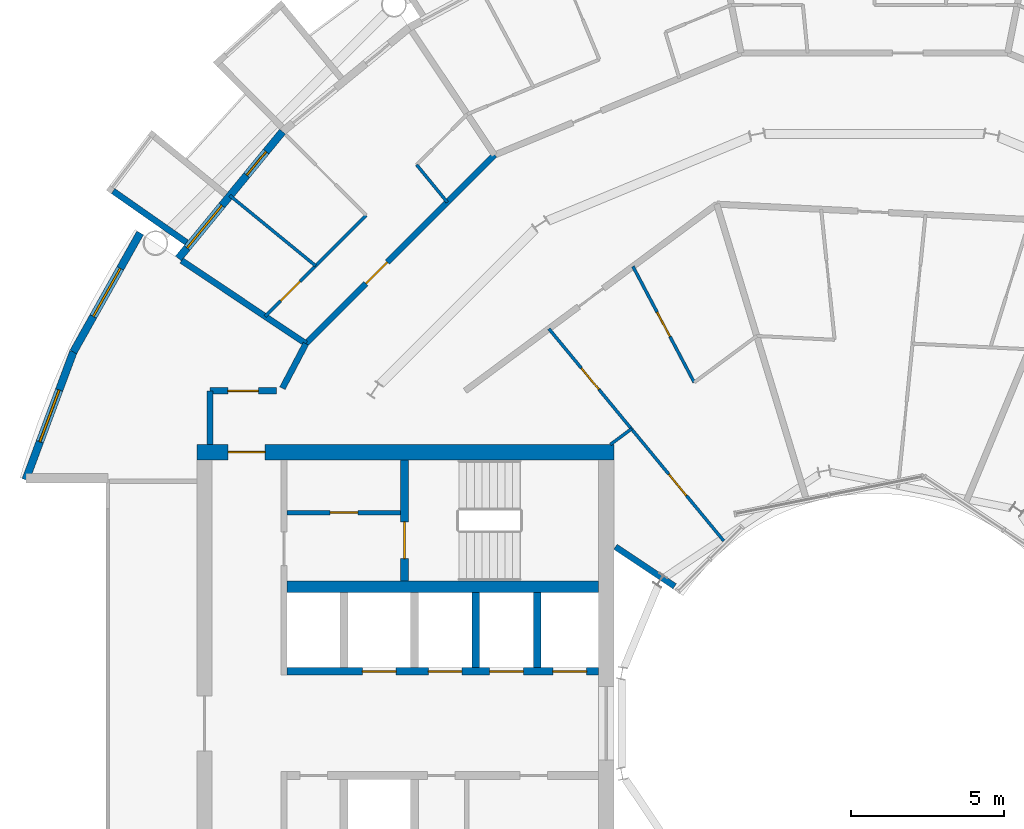
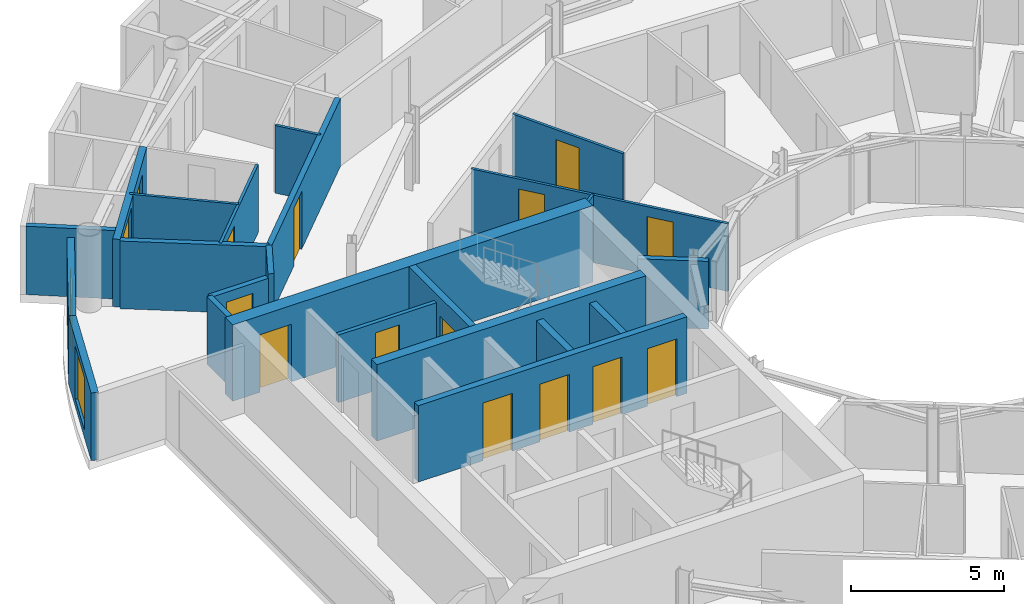
# One storey, part 19 of 27: 23 walls, 14 doors, 3 windows, 17 openings.
"""IFC4 building model written with IfcOpenShell, lengths in metres."""

from ifc_helpers import new_model, si_unit, direction, frame, frame_2d, origin, place, context, subcontext, project, spatial, rectangle, extrude, material, layer, layer_set, type_object, element, fill, save


model = new_model("IFC4")

# Units and contexts
model_context = context("Model", 3, precision=1e-05, world=origin(), true_north=direction((0.0, 1.0)))
body_context = subcontext(model_context, "Body", "Model", "MODEL_VIEW")
ifc_project = project(units=[si_unit("LENGTHUNIT", "METRE"), si_unit("AREAUNIT", "SQUARE_METRE"), si_unit("VOLUMEUNIT", "CUBIC_METRE"), si_unit("PLANEANGLEUNIT", "RADIAN"), si_unit("MASSUNIT", "GRAM", prefix="KILO")], contexts=[model_context])

# Site, building, storey
site_placement = place(None, origin())
site = spatial("IfcSite", under=ifc_project, at=site_placement, CompositionType="ELEMENT")
building_placement = place(site_placement, origin())
building = spatial("IfcBuilding", under=site, at=building_placement, Name="Maasbend Ring Residences", CompositionType="ELEMENT")
storey_placement = place(building_placement, frame((0.0, 0.0, 170.75)))
storey = spatial("IfcBuildingStorey", under=building, at=storey_placement, Name="L49", CompositionType="ELEMENT", Elevation=170.75)

# Wall, openings, doors
ifc_material_1 = material(Name="Concrete C60/75", Category="concrete")
ifc_layer_1 = layer(ifc_material_1, 0.25)
ifc_layer_set_1 = layer_set([ifc_layer_1], Name="Concrete C60/75")
wall_type_1 = type_object("IfcWallType", Name="CORE WALL 250 C60/75", PredefinedType="SHEAR", material=ifc_layer_set_1)
wall_1_placement = place(storey_placement, frame((-9.0, 1.699951171875, 0.0), z_axis=(0.0, 0.0, 1.0), x_axis=(-1.0, 0.0, 0.0)))
wall_1 = element("IfcWall", 1, at=wall_1_placement, inside=storey, type_object=wall_type_1, Name="L49 core W wall SPS", PredefinedType="SHEAR", context=body_context, shape_type="SweptSolid", body=[
    extrude(rectangle(XDim=10.14990234375, YDim=0.25, at=frame_2d((5.074951171875, 0.0))), origin(), (0.0, 0.0, 1.0), 3.050048828125),
])
opening_1_placement = place(wall_1_placement, frame((0.387451171875, 0.0, 0.0)))
opening_1 = element("IfcOpeningElement", 2, at=opening_1_placement, cuts=wall_1, Name="Opening LD-W4902", PredefinedType="OPENING", context=body_context, shape_type="SweptSolid", body=[
    extrude(rectangle(XDim=1.10009765625, YDim=2.300048828125, at=frame_2d((0.550048828125, 1.14990234375))), frame((0.0, 0.135009765625, 0.0), z_axis=(0.0, -1.0, 0.0), x_axis=(1.0, 0.0, 0.0)), (0.0, 0.0, 1.0), 0.27001953125),
])
opening_2_placement = place(wall_1_placement, frame((2.449951171875, 0.0, 0.0)))
opening_2 = element("IfcOpeningElement", 3, at=opening_2_placement, cuts=wall_1, Name="Opening LD-W4903", PredefinedType="OPENING", context=body_context, shape_type="SweptSolid", body=[
    extrude(rectangle(XDim=1.10009765625, YDim=2.300048828125, at=frame_2d((0.550048828125, 1.14990234375))), frame((0.0, 0.135009765625, 0.0), z_axis=(0.0, -1.0, 0.0), x_axis=(1.0, 0.0, 0.0)), (0.0, 0.0, 1.0), 0.27001953125),
])
opening_3_placement = place(wall_1_placement, frame((4.449951171875, 0.0, 0.0)))
opening_3 = element("IfcOpeningElement", 4, at=opening_3_placement, cuts=wall_1, Name="Opening LD-W4904", PredefinedType="OPENING", context=body_context, shape_type="SweptSolid", body=[
    extrude(rectangle(XDim=1.10009765625, YDim=2.300048828125, at=frame_2d((0.550048828125, 1.14990234375))), frame((0.0, 0.135009765625, 0.0), z_axis=(0.0, -1.0, 0.0), x_axis=(1.0, 0.0, 0.0)), (0.0, 0.0, 1.0), 0.27001953125),
])
opening_4_placement = place(wall_1_placement, frame((6.60009765625, 0.0, 0.0)))
opening_4 = element("IfcOpeningElement", 5, at=opening_4_placement, cuts=wall_1, Name="Opening LD-W4905", PredefinedType="OPENING", context=body_context, shape_type="SweptSolid", body=[
    extrude(rectangle(XDim=1.10009765625, YDim=2.300048828125, at=frame_2d((0.550048828125, 1.14990234375))), frame((0.0, 0.135009765625, 0.0), z_axis=(0.0, -1.0, 0.0), x_axis=(1.0, 0.0, 0.0)), (0.0, 0.0, 1.0), 0.27001953125),
])
ifc_material_2 = material(Name="Stainless steel 316", Category="steel")
door_type_1 = type_object("IfcDoorType", Name="LANDING DOOR 1100 X 2300 FD60", OperationType="DOUBLE_DOOR_SLIDING", PredefinedType="DOOR", material=ifc_material_2)
door_1_placement = place(opening_1_placement, origin())
door_1 = element("IfcDoor", 6, at=door_1_placement, inside=storey, type_object=door_type_1, Name="Landing door HR-W1 L49", OperationType="DOUBLE_DOOR_SLIDING", OverallHeight=2.300048828125, OverallWidth=1.10009765625, PredefinedType="DOOR", context=body_context, shape_type="SweptSolid", body=[
    extrude(rectangle(XDim=1.10009765625, YDim=2.300048828125, at=frame_2d((0.550048828125, 1.14990234375))), frame((0.0, 0.02490234375, 0.0), z_axis=(0.0, -1.0, 0.0), x_axis=(1.0, 0.0, 0.0)), (0.0, 0.0, 1.0), 0.050048828125),
])
fill(opening_1, door_1)
door_2_placement = place(opening_2_placement, origin())
door_2 = element("IfcDoor", 7, at=door_2_placement, inside=storey, type_object=door_type_1, Name="Landing door HR-W2 L49", OperationType="DOUBLE_DOOR_SLIDING", OverallHeight=2.300048828125, OverallWidth=1.10009765625, PredefinedType="DOOR", context=body_context, shape_type="SweptSolid", body=[
    extrude(rectangle(XDim=1.10009765625, YDim=2.300048828125, at=frame_2d((0.550048828125, 1.14990234375))), frame((0.0, 0.02490234375, 0.0), z_axis=(0.0, -1.0, 0.0), x_axis=(1.0, 0.0, 0.0)), (0.0, 0.0, 1.0), 0.050048828125),
])
fill(opening_2, door_2)
door_3_placement = place(opening_3_placement, origin())
door_3 = element("IfcDoor", 8, at=door_3_placement, inside=storey, type_object=door_type_1, Name="Landing door HR-W3 L49", OperationType="DOUBLE_DOOR_SLIDING", OverallHeight=2.300048828125, OverallWidth=1.10009765625, PredefinedType="DOOR", context=body_context, shape_type="SweptSolid", body=[
    extrude(rectangle(XDim=1.10009765625, YDim=2.300048828125, at=frame_2d((0.550048828125, 1.14990234375))), frame((0.0, 0.02490234375, 0.0), z_axis=(0.0, -1.0, 0.0), x_axis=(1.0, 0.0, 0.0)), (0.0, 0.0, 1.0), 0.050048828125),
])
fill(opening_3, door_3)
door_4_placement = place(opening_4_placement, origin())
door_4 = element("IfcDoor", 9, at=door_4_placement, inside=storey, type_object=door_type_1, Name="Landing door SV-W L49", OperationType="DOUBLE_DOOR_SLIDING", OverallHeight=2.300048828125, OverallWidth=1.10009765625, PredefinedType="DOOR", context=body_context, shape_type="SweptSolid", body=[
    extrude(rectangle(XDim=1.10009765625, YDim=2.300048828125, at=frame_2d((0.550048828125, 1.14990234375))), frame((0.0, 0.02490234375, 0.0), z_axis=(0.0, -1.0, 0.0), x_axis=(1.0, 0.0, 0.0)), (0.0, 0.0, 1.0), 0.050048828125),
])
fill(opening_4, door_4)

# Wall, opening, door
wall_2_placement = place(storey_placement, frame((-15.324951171875, 8.60009765625, 0.0), z_axis=(0.0, 0.0, 1.0), x_axis=(0.0, -1.0, 0.0)))
wall_2 = element("IfcWall", 10, at=wall_2_placement, inside=storey, type_object=wall_type_1, Name="L49 core W wall STES", PredefinedType="SHEAR", context=body_context, shape_type="SweptSolid", body=[
    extrude(rectangle(XDim=3.9501953125, YDim=0.25, at=frame_2d((1.97509765625, 0.0))), origin(), (0.0, 0.0, 1.0), 3.050048828125),
])
opening_5_placement = place(wall_2_placement, frame((2.02490234375, 0.0, 0.0)))
opening_5 = element("IfcOpeningElement", 11, at=opening_5_placement, cuts=wall_2, Name="Opening D-W4911", PredefinedType="OPENING", context=body_context, shape_type="SweptSolid", body=[
    extrude(rectangle(XDim=1.199951171875, YDim=2.300048828125, at=frame_2d((0.60009765625, 1.14990234375))), frame((0.0, 0.135009765625, 0.0), z_axis=(0.0, -1.0, 0.0), x_axis=(1.0, 0.0, 0.0)), (0.0, 0.0, 1.0), 0.27001953125),
])
ifc_material_3 = material(Name="Steel, powder coated", Category="steel")
door_type_2 = type_object("IfcDoorType", Name="STAIR DOOR 1200 X 2300 FD60", OperationType="NOTDEFINED", PredefinedType="DOOR", material=ifc_material_3)
door_5_placement = place(opening_5_placement, origin())
door_5 = element("IfcDoor", 12, at=door_5_placement, inside=storey, type_object=door_type_2, Name="Stair door ST-W L49", OperationType="SINGLE_SWING_LEFT", OverallHeight=2.300048828125, OverallWidth=1.199951171875, PredefinedType="DOOR", context=body_context, shape_type="SweptSolid", body=[
    extrude(rectangle(XDim=1.199951171875, YDim=2.300048828125, at=frame_2d((0.60009765625, 1.14990234375))), frame((0.0, 0.02490234375, 0.0), z_axis=(0.0, -1.0, 0.0), x_axis=(1.0, 0.0, 0.0)), (0.0, 0.0, 1.0), 0.050048828125),
])
fill(opening_5, door_5)

# Wall
ifc_material_4 = material(Name="Concrete C60/75", Category="concrete")
ifc_layer_2 = layer(ifc_material_4, 0.375)
ifc_layer_set_2 = layer_set([ifc_layer_2], Name="Concrete C60/75")
wall_type_2 = type_object("IfcWallType", Name="CORE WALL 375 C60/75", PredefinedType="SHEAR", material=ifc_layer_set_2)
wall_3_placement = place(storey_placement, frame((-9.0, 4.46240234375, 0.0), z_axis=(0.0, 0.0, 1.0), x_axis=(-1.0, 0.0, 0.0)))
element("IfcWall", 13, at=wall_3_placement, inside=storey, type_object=wall_type_2, Name="L49 core W wall BS", PredefinedType="SHEAR", context=body_context, shape_type="SweptSolid", body=[
    extrude(rectangle(XDim=10.14990234375, YDim=0.375, at=frame_2d((5.074951171875, 0.0))), origin(), (0.0, 0.0, 1.0), 3.050048828125),
])

# Wall, opening, door
ifc_material_5 = material(Name="Concrete C60/75", Category="concrete")
ifc_layer_3 = layer(ifc_material_5, 0.5)
ifc_layer_set_3 = layer_set([ifc_layer_3], Name="Concrete C60/75")
wall_type_3 = type_object("IfcWallType", Name="CORE WALL 500 C60/75", PredefinedType="SHEAR", material=ifc_layer_set_3)
wall_4_placement = place(storey_placement, frame((-8.5, 8.85009765625, 0.0), z_axis=(0.0, 0.0, 1.0), x_axis=(-1.0, 0.0, 0.0)))
wall_4 = element("IfcWall", 14, at=wall_4_placement, inside=storey, type_object=wall_type_3, Name="L49 core W wall PS", PredefinedType="SHEAR", context=body_context, shape_type="SweptSolid", body=[
    extrude(rectangle(XDim=13.60009765625, YDim=0.5, at=frame_2d((6.800048828125, 0.0))), origin(), (0.0, 0.0, 1.0), 3.050048828125),
])
opening_6_placement = place(wall_4_placement, frame((11.375, 0.0, 0.0)))
opening_6 = element("IfcOpeningElement", 15, at=opening_6_placement, cuts=wall_4, Name="Opening D-W4915", PredefinedType="OPENING", context=body_context, shape_type="SweptSolid", body=[
    extrude(rectangle(XDim=1.199951171875, YDim=2.300048828125, at=frame_2d((0.60009765625, 1.14990234375))), frame((0.0, 0.260009765625, 0.0), z_axis=(0.0, -1.0, 0.0), x_axis=(1.0, 0.0, 0.0)), (0.0, 0.0, 1.0), 0.52001953125),
])
ifc_material_6 = material(Name="Steel, powder coated", Category="steel")
door_type_3 = type_object("IfcDoorType", Name="CORRIDOR DOOR 1200 X 2300 FD30S", OperationType="NOTDEFINED", PredefinedType="DOOR", material=ifc_material_6)
door_6_placement = place(opening_6_placement, origin())
door_6 = element("IfcDoor", 16, at=door_6_placement, inside=storey, type_object=door_type_3, Name="Corridor door L49", OperationType="SINGLE_SWING_LEFT", OverallHeight=2.300048828125, OverallWidth=1.199951171875, PredefinedType="DOOR", context=body_context, shape_type="SweptSolid", body=[
    extrude(rectangle(XDim=1.199951171875, YDim=2.300048828125, at=frame_2d((0.60009765625, 1.14990234375))), frame((0.0, 0.02490234375, 0.0), z_axis=(0.0, -1.0, 0.0), x_axis=(1.0, 0.0, 0.0)), (0.0, 0.0, 1.0), 0.050048828125),
])
fill(opening_6, door_6)

ifc_material_7 = material(Name="Concrete C30/37", Category="concrete")
ifc_layer_4 = layer(ifc_material_7, 0.199951171875)
ifc_layer_set_4 = layer_set([ifc_layer_4], Name="Concrete C30/37")
wall_type_4 = type_object("IfcWallType", Name="CORRIDOR WALL 200 CONCRETE", PredefinedType="PARTITIONING", material=ifc_layer_set_4)
wall_5_placement = place(storey_placement, frame((-21.675048828125, 10.85009765625, 0.0), z_axis=(0.0, 0.0, 1.0), x_axis=(1.0, 0.0, 0.0)))
wall_5 = element("IfcWall", 17, at=wall_5_placement, inside=storey, type_object=wall_type_4, Name="U-L49-w096", PredefinedType="PARTITIONING", context=body_context, shape_type="SweptSolid", body=[
    extrude(rectangle(XDim=2.171142578125, YDim=0.199951171875, at=frame_2d((1.08544921875, 0.0))), origin(), (0.0, 0.0, 1.0), 2.699951171875),
])
opening_7_placement = place(wall_5_placement, frame((0.5849609375, 0.0, 0.0)))
opening_7 = element("IfcOpeningElement", 18, at=opening_7_placement, cuts=wall_5, Name="Opening D-4966", PredefinedType="OPENING", context=body_context, shape_type="SweptSolid", body=[
    extrude(rectangle(XDim=1.0, YDim=2.300048828125, at=frame_2d((0.5, 1.14990234375))), frame((0.0, 0.10986328125, 0.0), z_axis=(0.0, -1.0, 0.0), x_axis=(1.0, 0.0, 0.0)), (0.0, 0.0, 1.0), 0.219970703125),
])
ifc_material_8 = material(Name="Timber, painted", Category="wood")
door_type_4 = type_object("IfcDoorType", Name="ROOM DOOR 1000 X 2300", OperationType="NOTDEFINED", PredefinedType="DOOR", material=ifc_material_8)
door_7_placement = place(opening_7_placement, origin())
door_7 = element("IfcDoor", 19, at=door_7_placement, inside=storey, type_object=door_type_4, Name="D-4966", OperationType="SINGLE_SWING_LEFT", OverallHeight=2.300048828125, OverallWidth=1.0, PredefinedType="DOOR", context=body_context, shape_type="SweptSolid", body=[
    extrude(rectangle(XDim=1.0, YDim=2.300048828125, at=frame_2d((0.5, 1.14990234375))), frame((0.0, 0.02490234375, 0.0), z_axis=(0.0, -1.0, 0.0), x_axis=(1.0, 0.0, 0.0)), (0.0, 0.0, 1.0), 0.050048828125),
])
fill(opening_7, door_7)

# Wall
wall_6_placement = place(storey_placement, frame((-21.675048828125, 9.10009765625, 0.0), z_axis=(0.0, 0.0, 1.0), x_axis=(0.0, 1.0, 0.0)))
element("IfcWall", 20, at=wall_6_placement, inside=storey, type_object=wall_type_4, Name="U-L49-w108", PredefinedType="PARTITIONING", context=body_context, shape_type="SweptSolid", body=[
    extrude(rectangle(XDim=1.75, YDim=0.199951171875, at=frame_2d((0.875, 0.0))), origin(), (0.0, 0.0, 1.0), 2.699951171875),
])

# Wall, opening, door
wall_7_placement = place(storey_placement, frame((-18.5419921875, 12.388916015625, 0.0), z_axis=(0.0, 0.0, 1.0), x_axis=(0.707106781187, 0.707106781187, 0.0)))
wall_7 = element("IfcWall", 21, at=wall_7_placement, inside=storey, type_object=wall_type_4, Name="U-L49-w109", PredefinedType="PARTITIONING", context=body_context, shape_type="SweptSolid", body=[
    extrude(rectangle(XDim=8.70166015625, YDim=0.199951171875, at=frame_2d((4.350830078125, 0.0))), origin(), (0.0, 0.0, 1.0), 2.699951171875),
])
opening_8_placement = place(wall_7_placement, frame((2.762939453125, 0.0, 0.0)))
opening_8 = element("IfcOpeningElement", 22, at=opening_8_placement, cuts=wall_7, Name="Opening D-4917", PredefinedType="OPENING", context=body_context, shape_type="SweptSolid", body=[
    extrude(rectangle(XDim=1.0, YDim=2.300048828125, at=frame_2d((0.5, 1.14990234375))), frame((0.0, 0.10986328125, 0.0), z_axis=(0.0, -1.0, 0.0), x_axis=(1.0, 0.0, 0.0)), (0.0, 0.0, 1.0), 0.219970703125),
])
ifc_material_9 = material(Name="Timber, fire-rated, painted", Category="wood")
door_type_5 = type_object("IfcDoorType", Name="FLAT ENTRANCE DOOR 1000 X 2300 FIRE-RATED", OperationType="NOTDEFINED", PredefinedType="DOOR", material=ifc_material_9)
door_8_placement = place(opening_8_placement, origin())
door_8 = element("IfcDoor", 23, at=door_8_placement, inside=storey, type_object=door_type_5, Name="D-4917", OperationType="SINGLE_SWING_LEFT", OverallHeight=2.300048828125, OverallWidth=1.0, PredefinedType="DOOR", context=body_context, shape_type="SweptSolid", body=[
    extrude(rectangle(XDim=1.0, YDim=2.300048828125, at=frame_2d((0.5, 1.14990234375))), frame((0.0, 0.02490234375, 0.0), z_axis=(0.0, -1.0, 0.0), x_axis=(1.0, 0.0, 0.0)), (0.0, 0.0, 1.0), 0.050048828125),
])
fill(opening_8, door_8)

# Walls
wall_8_placement = place(storey_placement, frame((-19.306884765625, 10.93505859375, 0.0), z_axis=(0.0, 0.0, 1.0), x_axis=(0.465605550524, 0.884992356646, 0.0)))
element("IfcWall", 24, at=wall_8_placement, inside=storey, type_object=wall_type_4, Name="U-L49-w114", PredefinedType="PARTITIONING", context=body_context, shape_type="SweptSolid", body=[
    extrude(rectangle(XDim=1.642822265625, YDim=0.199951171875, at=frame_2d((0.8212890625, 0.0))), origin(), (0.0, 0.0, 1.0), 2.699951171875),
])
ifc_material_10 = material(Name="Pale anodised aluminium panel", Category="aluminium")
ifc_layer_5 = layer(ifc_material_10, 0.199951171875)
ifc_layer_set_5 = layer_set([ifc_layer_5], Name="EW-BOX")
wall_type_5 = type_object("IfcWallType", Name="EW-BOX", PredefinedType="SOLIDWALL", material=ifc_layer_set_5)
wall_9_placement = place(storey_placement, frame((-22.43310546875, 15.68798828125, -0.030029296875), z_axis=(0.0, 0.0, 1.0), x_axis=(-0.819373043115, 0.573260687834, 0.0)))
element("IfcWall", 25, at=wall_9_placement, inside=storey, type_object=wall_type_5, Name="Box side wall N20 right", PredefinedType="SOLIDWALL", context=body_context, shape_type="SweptSolid", body=[
    extrude(rectangle(XDim=2.92529296875, YDim=0.199951171875, at=frame_2d((1.462646484375, 0.0))), origin(), (0.0, 0.0, 1.0), 2.72998046875),
])

# Wall, openings, door, window
ifc_material_11 = material(Name="Aluminium clad insulated panel", Category="aluminium")
ifc_layer_6 = layer(ifc_material_11, 0.25)
ifc_layer_set_6 = layer_set([ifc_layer_6], Name="EW-GL")
wall_type_6 = type_object("IfcWallType", Name="EW-GL", PredefinedType="SOLIDWALL", material=ifc_layer_set_6)
wall_10_placement = place(storey_placement, frame((-19.303955078125, 19.303955078125, 0.0), z_axis=(0.0, 0.0, 1.0), x_axis=(-0.634382322723, -0.773019449054, 0.0)))
wall_10 = element("IfcWall", 26, at=wall_10_placement, inside=storey, type_object=wall_type_6, Name="External wall N10", PredefinedType="SOLIDWALL", context=body_context, shape_type="SweptSolid", body=[
    extrude(rectangle(XDim=5.351806640625, YDim=0.25, at=frame_2d((2.67578125, 0.0))), origin(), (0.0, 0.0, 1.0), 2.699951171875),
])
opening_9_placement = place(wall_10_placement, frame((0.841064453125, 0.0, 0.0)))
opening_9 = element("IfcOpeningElement", 27, at=opening_9_placement, cuts=wall_10, Name="Opening D-LG", PredefinedType="OPENING", context=body_context, shape_type="SweptSolid", body=[
    extrude(rectangle(XDim=1.0, YDim=2.199951171875, at=frame_2d((0.5, 1.10009765625))), frame((0.0, 0.135009765625, 0.0), z_axis=(0.0, -1.0, 0.0), x_axis=(1.0, 0.0, 0.0)), (0.0, 0.0, 1.0), 0.27001953125),
])
opening_10_placement = place(wall_10_placement, frame((3.110595703125, 0.0, 0.300048828125)))
opening_10 = element("IfcOpeningElement", 28, at=opening_10_placement, cuts=wall_10, Name="Opening W-BX", PredefinedType="OPENING", context=body_context, shape_type="SweptSolid", body=[
    extrude(rectangle(XDim=1.800048828125, YDim=2.10009765625, at=frame_2d((0.89990234375, 1.050048828125))), frame((0.0, 0.135009765625, 0.0), z_axis=(0.0, -1.0, 0.0), x_axis=(1.0, 0.0, 0.0)), (0.0, 0.0, 1.0), 0.27001953125),
])
ifc_material_12 = material(Name="Aluminium and clear glass", Category="aluminium")
door_type_6 = type_object("IfcDoorType", Name="D-LG", OperationType="SINGLE_SWING_LEFT", PredefinedType="DOOR", material=ifc_material_12)
door_9_placement = place(opening_9_placement, origin())
door_9 = element("IfcDoor", 29, at=door_9_placement, inside=storey, type_object=door_type_6, Name="Loggia door N19", OperationType="SINGLE_SWING_LEFT", OverallHeight=2.199951171875, OverallWidth=1.0, PredefinedType="DOOR", context=body_context, shape_type="SweptSolid", body=[
    extrude(rectangle(XDim=1.0, YDim=2.199951171875, at=frame_2d((0.5, 1.10009765625))), frame((0.0, 0.02490234375, 0.0), z_axis=(0.0, -1.0, 0.0), x_axis=(1.0, 0.0, 0.0)), (0.0, 0.0, 1.0), 0.050048828125),
])
fill(opening_9, door_9)
ifc_material_13 = material(Name="Aluminium and clear glass", Category="aluminium")
window_type = type_object("IfcWindowType", Name="W-BX", PartitioningType="DOUBLE_PANEL_VERTICAL", PredefinedType="WINDOW", material=ifc_material_13)
window_1_placement = place(opening_10_placement, origin())
window_1 = element("IfcWindow", 30, at=window_1_placement, inside=storey, type_object=window_type, Name="Window N20 room to box", OverallHeight=2.10009765625, OverallWidth=1.800048828125, PartitioningType="SINGLE_PANEL", PredefinedType="WINDOW", context=body_context, shape_type="SweptSolid", body=[
    extrude(rectangle(XDim=1.800048828125, YDim=2.10009765625, at=frame_2d((0.89990234375, 1.050048828125))), frame((0.0, 0.030029296875, 0.0), z_axis=(0.0, -1.0, 0.0), x_axis=(1.0, 0.0, 0.0)), (0.0, 0.0, 1.0), 0.06005859375),
])
fill(opening_10, window_1)

# Wall, opening, window
ifc_material_14 = material(Name="Aluminium clad insulated panel", Category="aluminium")
ifc_layer_7 = layer(ifc_material_14, 0.25)
ifc_layer_set_7 = layer_set([ifc_layer_7], Name="EW-HORN")
wall_type_7 = type_object("IfcWallType", Name="EW-HORN", PredefinedType="SOLIDWALL", material=ifc_layer_set_7)
wall_11_placement = place(storey_placement, frame((-23.946044921875, 16.0, 0.0), z_axis=(0.0, 0.0, 1.0), x_axis=(-0.489696356642, -0.871893042919, 0.0)))
wall_11 = element("IfcWall", 31, at=wall_11_placement, inside=storey, type_object=wall_type_7, Name="Horn wall 4.1", PredefinedType="SOLIDWALL", context=body_context, shape_type="SweptSolid", body=[
    extrude(rectangle(XDim=4.45361328125, YDim=0.25, at=frame_2d((2.226806640625, 0.0))), origin(), (0.0, 0.0, 1.0), 2.699951171875),
])
opening_11_placement = place(wall_11_placement, frame((1.32666015625, 0.0, 0.300048828125)))
opening_11 = element("IfcOpeningElement", 32, at=opening_11_placement, cuts=wall_11, Name="Opening W-BX", PredefinedType="OPENING", context=body_context, shape_type="SweptSolid", body=[
    extrude(rectangle(XDim=1.800048828125, YDim=2.10009765625, at=frame_2d((0.89990234375, 1.050048828125))), frame((0.0, 0.135009765625, 0.0), z_axis=(0.0, -1.0, 0.0), x_axis=(1.0, 0.0, 0.0)), (0.0, 0.0, 1.0), 0.27001953125),
])
window_2_placement = place(opening_11_placement, origin())
window_2 = element("IfcWindow", 33, at=window_2_placement, inside=storey, type_object=window_type, Name="Horn window 4.1", OverallHeight=2.10009765625, OverallWidth=1.800048828125, PartitioningType="SINGLE_PANEL", PredefinedType="WINDOW", context=body_context, shape_type="SweptSolid", body=[
    extrude(rectangle(XDim=1.800048828125, YDim=2.10009765625, at=frame_2d((0.89990234375, 1.050048828125))), frame((0.0, 0.030029296875, 0.0), z_axis=(0.0, -1.0, 0.0), x_axis=(1.0, 0.0, 0.0)), (0.0, 0.0, 1.0), 0.06005859375),
])
fill(opening_11, window_2)

wall_12_placement = place(storey_placement, frame((-26.126953125, 12.116943359375, 0.0), z_axis=(0.0, 0.0, 1.0), x_axis=(-0.349247811493, -0.937030397675, 0.0)))
wall_12 = element("IfcWall", 34, at=wall_12_placement, inside=storey, type_object=wall_type_7, Name="Horn wall 4.2", PredefinedType="SOLIDWALL", context=body_context, shape_type="SweptSolid", body=[
    extrude(rectangle(XDim=4.4521484375, YDim=0.25, at=frame_2d((2.22607421875, 0.0))), origin(), (0.0, 0.0, 1.0), 2.699951171875),
])
opening_12_placement = place(wall_12_placement, frame((1.32666015625, 0.0, 0.300048828125)))
opening_12 = element("IfcOpeningElement", 35, at=opening_12_placement, cuts=wall_12, Name="Opening W-BX", PredefinedType="OPENING", context=body_context, shape_type="SweptSolid", body=[
    extrude(rectangle(XDim=1.800048828125, YDim=2.10009765625, at=frame_2d((0.89990234375, 1.050048828125))), frame((0.0, 0.135009765625, 0.0), z_axis=(0.0, -1.0, 0.0), x_axis=(1.0, 0.0, 0.0)), (0.0, 0.0, 1.0), 0.27001953125),
])
window_3_placement = place(opening_12_placement, origin())
window_3 = element("IfcWindow", 36, at=window_3_placement, inside=storey, type_object=window_type, Name="Horn window 4.2", OverallHeight=2.10009765625, OverallWidth=1.800048828125, PartitioningType="SINGLE_PANEL", PredefinedType="WINDOW", context=body_context, shape_type="SweptSolid", body=[
    extrude(rectangle(XDim=1.800048828125, YDim=2.10009765625, at=frame_2d((0.89990234375, 1.050048828125))), frame((0.0, 0.030029296875, 0.0), z_axis=(0.0, -1.0, 0.0), x_axis=(1.0, 0.0, 0.0)), (0.0, 0.0, 1.0), 0.06005859375),
])
fill(opening_12, window_3)

# Walls
ifc_material_15 = material(Name="Gypsum board on steel studs", Category="steel")
ifc_layer_8 = layer(ifc_material_15, 0.10009765625)
ifc_layer_set_8 = layer_set([ifc_layer_8], Name="PARTITION 100 GYPSUM")
wall_type_8 = type_object("IfcWallType", Name="PARTITION 100 GYPSUM", PredefinedType="PARTITIONING", material=ifc_layer_set_8)
wall_13_placement = place(storey_placement, frame((-21.02294921875, 17.219970703125, 0.0), z_axis=(0.0, 0.0, 1.0), x_axis=(0.773548271597, -0.633737383709, 0.0)))
element("IfcWall", 37, at=wall_13_placement, inside=storey, type_object=wall_type_8, Name="U-L49-w037", PredefinedType="PARTITIONING", context=body_context, shape_type="SweptSolid", body=[
    extrude(rectangle(XDim=3.6181640625, YDim=0.10009765625, at=frame_2d((1.80908203125, 0.0))), origin(), (0.0, 0.0, 1.0), 2.699951171875),
])
wall_14_placement = place(storey_placement, frame((-14.929931640625, 18.221923828125, 0.0), z_axis=(0.0, 0.0, 1.0), x_axis=(0.633633636523, -0.773633255921, 0.0)))
element("IfcWall", 38, at=wall_14_placement, inside=storey, type_object=wall_type_8, Name="U-L49-w044", PredefinedType="PARTITIONING", context=body_context, shape_type="SweptSolid", body=[
    extrude(rectangle(XDim=1.578125, YDim=0.10009765625, at=frame_2d((0.7890625, 0.0))), origin(), (0.0, 0.0, 1.0), 2.699951171875),
])

# Wall, openings, doors
wall_15_placement = place(storey_placement, frame((-10.615966796875, 12.875, 0.0), z_axis=(0.0, 0.0, 1.0), x_axis=(0.636045954217, -0.771651180342, 0.0)))
wall_15 = element("IfcWall", 39, at=wall_15_placement, inside=storey, type_object=wall_type_8, Name="U-L49-w047", PredefinedType="PARTITIONING", context=body_context, shape_type="SweptSolid", body=[
    extrude(rectangle(XDim=8.9677734375, YDim=0.10009765625, at=frame_2d((4.48388671875, 0.0))), origin(), (0.0, 0.0, 1.0), 2.699951171875),
])
opening_13_placement = place(wall_15_placement, frame((1.6669921875, 0.0, 0.0)))
opening_13 = element("IfcOpeningElement", 40, at=opening_13_placement, cuts=wall_15, Name="Opening D-4932", PredefinedType="OPENING", context=body_context, shape_type="SweptSolid", body=[
    extrude(rectangle(XDim=0.89990234375, YDim=2.300048828125, at=frame_2d((0.449951171875, 1.14990234375))), frame((0.0, 0.06005859375, 0.0), z_axis=(0.0, -1.0, 0.0), x_axis=(1.0, 0.0, 0.0)), (0.0, 0.0, 1.0), 0.1201171875),
])
opening_14_placement = place(wall_15_placement, frame((6.15087890625, 0.0, 0.0)))
opening_14 = element("IfcOpeningElement", 41, at=opening_14_placement, cuts=wall_15, Name="Opening D-4933", PredefinedType="OPENING", context=body_context, shape_type="SweptSolid", body=[
    extrude(rectangle(XDim=0.89990234375, YDim=2.300048828125, at=frame_2d((0.449951171875, 1.14990234375))), frame((0.0, 0.06005859375, 0.0), z_axis=(0.0, -1.0, 0.0), x_axis=(1.0, 0.0, 0.0)), (0.0, 0.0, 1.0), 0.1201171875),
])
ifc_material_16 = material(Name="Timber, painted", Category="wood")
door_type_7 = type_object("IfcDoorType", Name="INTERNAL DOOR 900 X 2300", OperationType="NOTDEFINED", PredefinedType="DOOR", material=ifc_material_16)
door_10_placement = place(opening_13_placement, origin())
door_10 = element("IfcDoor", 42, at=door_10_placement, inside=storey, type_object=door_type_7, Name="D-4932", OperationType="SINGLE_SWING_LEFT", OverallHeight=2.300048828125, OverallWidth=0.89990234375, PredefinedType="DOOR", context=body_context, shape_type="SweptSolid", body=[
    extrude(rectangle(XDim=0.89990234375, YDim=2.300048828125, at=frame_2d((0.449951171875, 1.14990234375))), frame((0.0, 0.02490234375, 0.0), z_axis=(0.0, -1.0, 0.0), x_axis=(1.0, 0.0, 0.0)), (0.0, 0.0, 1.0), 0.050048828125),
])
fill(opening_13, door_10)
door_11_placement = place(opening_14_placement, origin())
door_11 = element("IfcDoor", 43, at=door_11_placement, inside=storey, type_object=door_type_7, Name="D-4933", OperationType="SINGLE_SWING_RIGHT", OverallHeight=2.300048828125, OverallWidth=0.89990234375, PredefinedType="DOOR", context=body_context, shape_type="SweptSolid", body=[
    extrude(rectangle(XDim=0.89990234375, YDim=2.300048828125, at=frame_2d((0.449951171875, 1.14990234375))), frame((0.0, 0.02490234375, 0.0), z_axis=(0.0, -1.0, 0.0), x_axis=(1.0, 0.0, 0.0)), (0.0, 0.0, 1.0), 0.050048828125),
])
fill(opening_14, door_11)

# Wall, opening, door
wall_16_placement = place(storey_placement, frame((-7.875, 14.907958984375, 0.0), z_axis=(0.0, 0.0, 1.0), x_axis=(0.467030118529, -0.884241408432, 0.0)))
wall_16 = element("IfcWall", 44, at=wall_16_placement, inside=storey, type_object=wall_type_8, Name="U-L49-w051", PredefinedType="PARTITIONING", context=body_context, shape_type="SweptSolid", body=[
    extrude(rectangle(XDim=4.278076171875, YDim=0.10009765625, at=frame_2d((2.13916015625, 0.0))), origin(), (0.0, 0.0, 1.0), 2.699951171875),
])
opening_15_placement = place(wall_16_placement, frame((1.68896484375, 0.0, 0.0)))
opening_15 = element("IfcOpeningElement", 45, at=opening_15_placement, cuts=wall_16, Name="Opening D-4931", PredefinedType="OPENING", context=body_context, shape_type="SweptSolid", body=[
    extrude(rectangle(XDim=0.89990234375, YDim=2.300048828125, at=frame_2d((0.449951171875, 1.14990234375))), frame((0.0, 0.06005859375, 0.0), z_axis=(0.0, -1.0, 0.0), x_axis=(1.0, 0.0, 0.0)), (0.0, 0.0, 1.0), 0.1201171875),
])
door_12_placement = place(opening_15_placement, origin())
door_12 = element("IfcDoor", 46, at=door_12_placement, inside=storey, type_object=door_type_7, Name="D-4931", OperationType="SINGLE_SWING_RIGHT", OverallHeight=2.300048828125, OverallWidth=0.89990234375, PredefinedType="DOOR", context=body_context, shape_type="SweptSolid", body=[
    extrude(rectangle(XDim=0.89990234375, YDim=2.300048828125, at=frame_2d((0.449951171875, 1.14990234375))), frame((0.0, 0.02490234375, 0.0), z_axis=(0.0, -1.0, 0.0), x_axis=(1.0, 0.0, 0.0)), (0.0, 0.0, 1.0), 0.050048828125),
])
fill(opening_15, door_12)

# Wall
wall_17_placement = place(storey_placement, frame((-8.60693359375, 9.10009765625, 0.0), z_axis=(0.0, 0.0, 1.0), x_axis=(0.803199066515, 0.595710718007, 0.0)))
element("IfcWall", 47, at=wall_17_placement, inside=storey, type_object=wall_type_8, Name="U-L49-w098", PredefinedType="PARTITIONING", context=body_context, shape_type="SweptSolid", body=[
    extrude(rectangle(XDim=0.857666015625, YDim=0.10009765625, at=frame_2d((0.4287109375, 0.0))), origin(), (0.0, 0.0, 1.0), 2.699951171875),
])

# Wall, opening, door
wall_18_placement = place(storey_placement, frame((-19.8720703125, 13.278076171875, 0.0), z_axis=(0.0, 0.0, 1.0), x_axis=(0.707132961115, 0.707080600289, 0.0)))
wall_18 = element("IfcWall", 48, at=wall_18_placement, inside=storey, type_object=wall_type_8, Name="U-L49-w116", PredefinedType="PARTITIONING", context=body_context, shape_type="SweptSolid", body=[
    extrude(rectangle(XDim=4.66259765625, YDim=0.10009765625, at=frame_2d((2.331298828125, 0.0))), origin(), (0.0, 0.0, 1.0), 2.699951171875),
])
opening_16_placement = place(wall_18_placement, frame((0.718994140625, 0.0, 0.0)))
opening_16 = element("IfcOpeningElement", 49, at=opening_16_placement, cuts=wall_18, Name="Opening D-4920", PredefinedType="OPENING", context=body_context, shape_type="SweptSolid", body=[
    extrude(rectangle(XDim=0.89990234375, YDim=2.300048828125, at=frame_2d((0.449951171875, 1.14990234375))), frame((0.0, 0.06005859375, 0.0), z_axis=(0.0, -1.0, 0.0), x_axis=(1.0, 0.0, 0.0)), (0.0, 0.0, 1.0), 0.1201171875),
])
door_13_placement = place(opening_16_placement, origin())
door_13 = element("IfcDoor", 50, at=door_13_placement, inside=storey, type_object=door_type_7, Name="D-4920", OperationType="SINGLE_SWING_LEFT", OverallHeight=2.300048828125, OverallWidth=0.89990234375, PredefinedType="DOOR", context=body_context, shape_type="SweptSolid", body=[
    extrude(rectangle(XDim=0.89990234375, YDim=2.300048828125, at=frame_2d((0.449951171875, 1.14990234375))), frame((0.0, 0.02490234375, 0.0), z_axis=(0.0, -1.0, 0.0), x_axis=(1.0, 0.0, 0.0)), (0.0, 0.0, 1.0), 0.050048828125),
])
fill(opening_16, door_13)

ifc_material_17 = material(Name="Gypsum board on steel studs", Category="steel")
ifc_layer_9 = layer(ifc_material_17, 0.14990234375)
ifc_layer_set_9 = layer_set([ifc_layer_9], Name="PARTITION 150 EI 60")
wall_type_9 = type_object("IfcWallType", Name="PARTITION 150 EI 60", PredefinedType="PARTITIONING", material=ifc_layer_set_9)
wall_19_placement = place(storey_placement, frame((-15.449951171875, 6.875, 0.0), z_axis=(0.0, 0.0, 1.0), x_axis=(-1.0, 0.0, 0.0)))
wall_19 = element("IfcWall", 51, at=wall_19_placement, inside=storey, type_object=wall_type_9, Name="L49 core W wall RHS", PredefinedType="PARTITIONING", context=body_context, shape_type="SweptSolid", body=[
    extrude(rectangle(XDim=3.699951171875, YDim=0.14990234375, at=frame_2d((1.85009765625, 0.0))), origin(), (0.0, 0.0, 1.0), 2.699951171875),
])
opening_17_placement = place(wall_19_placement, frame((1.39990234375, 0.0, 0.0)))
opening_17 = element("IfcOpeningElement", 52, at=opening_17_placement, cuts=wall_19, Name="Opening D-W4909", PredefinedType="OPENING", context=body_context, shape_type="SweptSolid", body=[
    extrude(rectangle(XDim=0.89990234375, YDim=2.300048828125, at=frame_2d((0.449951171875, 1.14990234375))), frame((0.0, 0.0849609375, 0.0), z_axis=(0.0, -1.0, 0.0), x_axis=(1.0, 0.0, 0.0)), (0.0, 0.0, 1.0), 0.169921875),
])
ifc_material_18 = material(Name="Steel, powder coated", Category="steel")
door_type_8 = type_object("IfcDoorType", Name="RISER DOOR 900 X 2300 FD60", OperationType="NOTDEFINED", PredefinedType="DOOR", material=ifc_material_18)
door_14_placement = place(opening_17_placement, origin())
door_14 = element("IfcDoor", 53, at=door_14_placement, inside=storey, type_object=door_type_8, Name="Riser door L49", OperationType="SINGLE_SWING_LEFT", OverallHeight=2.300048828125, OverallWidth=0.89990234375, PredefinedType="DOOR", context=body_context, shape_type="SweptSolid", body=[
    extrude(rectangle(XDim=0.89990234375, YDim=2.300048828125, at=frame_2d((0.449951171875, 1.14990234375))), frame((0.0, 0.02490234375, 0.0), z_axis=(0.0, -1.0, 0.0), x_axis=(1.0, 0.0, 0.0)), (0.0, 0.0, 1.0), 0.050048828125),
])
fill(opening_17, door_14)

# Walls
ifc_material_19 = material(Name="Concrete C30/37", Category="concrete")
ifc_layer_10 = layer(ifc_material_19, 0.199951171875)
ifc_layer_set_10 = layer_set([ifc_layer_10], Name="Concrete C30/37")
wall_type_10 = type_object("IfcWallType", Name="PARTY WALL 200 CONCRETE", PredefinedType="PARTITIONING", material=ifc_layer_set_10)
wall_20_placement = place(storey_placement, frame((-22.594970703125, 15.097900390625, 0.0), z_axis=(0.0, 0.0, 1.0), x_axis=(0.831387096605, -0.55569370664, 0.0)))
element("IfcWall", 54, at=wall_20_placement, inside=storey, type_object=wall_type_10, Name="U-L49-w036", PredefinedType="PARTITIONING", context=body_context, shape_type="SweptSolid", body=[
    extrude(rectangle(XDim=4.875, YDim=0.199951171875, at=frame_2d((2.4375, 0.0))), origin(), (0.0, 0.0, 1.0), 2.699951171875),
])
wall_21_placement = place(storey_placement, frame((-6.512939453125, 4.471923828125, 0.0), z_axis=(0.0, 0.0, 1.0), x_axis=(-0.83133816625, 0.555766905579, 0.0)))
element("IfcWall", 55, at=wall_21_placement, inside=storey, type_object=wall_type_10, Name="U-L49-w094", PredefinedType="PARTITIONING", context=body_context, shape_type="SweptSolid", body=[
    extrude(rectangle(XDim=2.322998046875, YDim=0.199951171875, at=frame_2d((1.16162109375, 0.0))), origin(), (0.0, 0.0, 1.0), 2.699951171875),
])
ifc_material_20 = material(Name="Concrete C30/37", Category="concrete")
ifc_layer_11 = layer(ifc_material_20, 0.25)
ifc_layer_set_11 = layer_set([ifc_layer_11], Name="Concrete C30/37")
wall_type_11 = type_object("IfcWallType", Name="SHAFT WALL 250 EI 120", PredefinedType="SOLIDWALL", material=ifc_layer_set_11)
for number, where, z_axis, x_axis, name in (
    (56, (-11.0, 1.824951171875, 0.0), (0.0, 0.0, 1.0), (0.0, 1.0, 0.0), "L49 core W wall D110S"),
    (57, (-13.0, 1.824951171875, 0.0), (0.0, 0.0, 1.0), (0.0, 1.0, 0.0), "L49 core W wall D130S"),
):
    element("IfcWall", number, at=place(storey_placement, frame(where, z_axis=z_axis, x_axis=x_axis)), inside=storey, type_object=wall_type_11, Name=name, PredefinedType="SOLIDWALL", context=body_context, shape_type="SweptSolid", body=[
        extrude(rectangle(XDim=2.449951171875, YDim=0.25, at=frame_2d((1.22509765625, 0.0))), origin(), (0.0, 0.0, 1.0), 2.699951171875),
    ])

save(model, "model.ifc")
